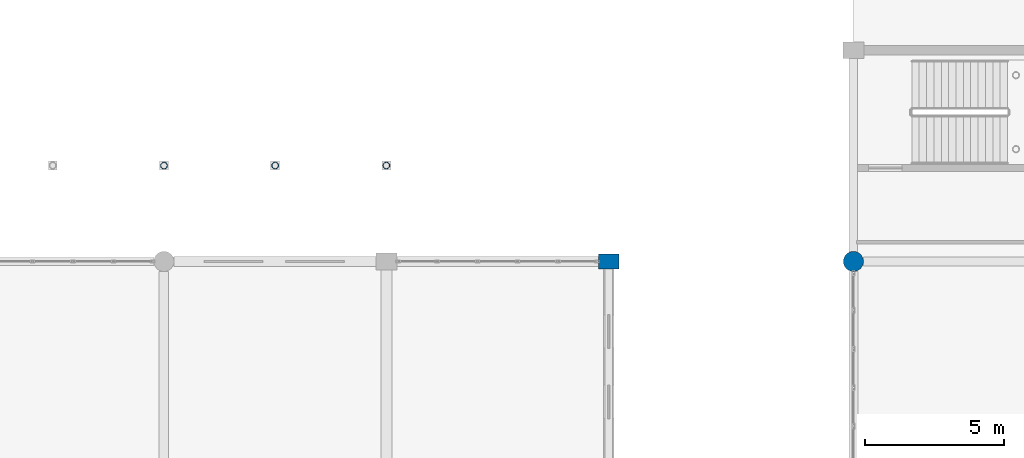
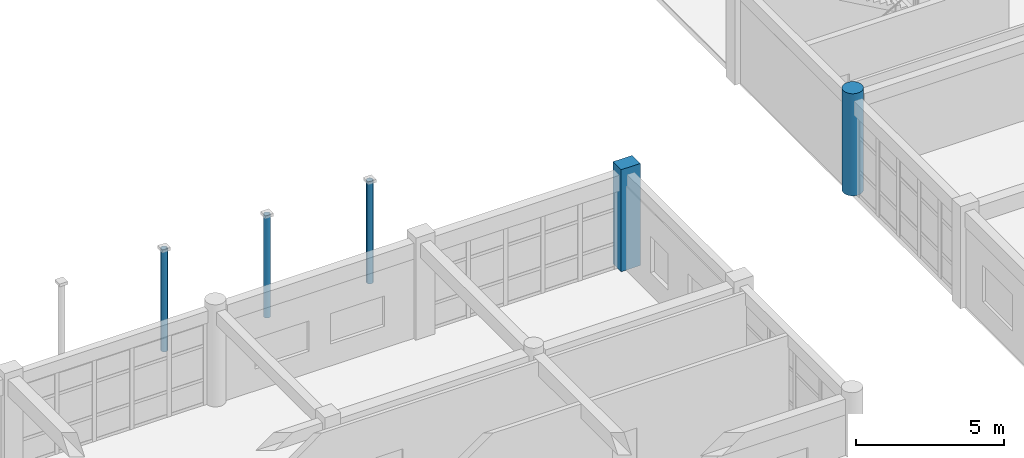
# One storey, part 10 of 195: 5 columns.
"""IFC4 building model written with IfcOpenShell, lengths in metres."""

from ifc_helpers import new_model, si_unit, direction, frame, origin, origin_2d, place, context, subcontext, project, spatial, rectangle, circle, hollow_circle, extrude, material, material_profile, profile_set, type_object, element, save


model = new_model("IFC4")

# Units and contexts
model_context = context("Model", 3, precision=1e-05, world=origin(), true_north=direction((0.0, 1.0)))
body_context = subcontext(model_context, "Body", "Model", "MODEL_VIEW")
ifc_project = project(units=[si_unit("LENGTHUNIT", "METRE"), si_unit("AREAUNIT", "SQUARE_METRE"), si_unit("VOLUMEUNIT", "CUBIC_METRE"), si_unit("PLANEANGLEUNIT", "RADIAN"), si_unit("MASSUNIT", "GRAM", prefix="KILO")], contexts=[model_context])

# Site, building, storey
site_placement = place(None, origin())
site = spatial("IfcSite", under=ifc_project, at=site_placement, CompositionType="ELEMENT")
building_placement = place(site_placement, origin())
building = spatial("IfcBuilding", under=site, at=building_placement, Name="Kharva Crest Polytechnic", CompositionType="ELEMENT")
storey_placement = place(building_placement, frame((0.0, 0.0, 9.0)))
storey = spatial("IfcBuildingStorey", under=building, at=storey_placement, Name="L02", CompositionType="ELEMENT", Elevation=9.0)

# Columns
ifc_material_1 = material(Name="Concrete C40/50", Category="concrete")
ifc_material_profile_1 = material_profile(ifc_material_1, rectangle(XDim=0.75, YDim=0.550048828125, at=origin_2d()), Name="RECT 750 X 550")
ifc_profile_set_1 = profile_set([ifc_material_profile_1], Name="Concrete C40/50")
column_type_1 = type_object("IfcColumnType", Name="COL-EXT-750X550", PredefinedType="COLUMN", material=ifc_profile_set_1)
column_1_placement = place(storey_placement, frame((112.0, 22.800048828125, 0.0), z_axis=(0.0, 0.0, 1.0), x_axis=(1.0, 0.0, 0.0)))
element("IfcColumn", 1, at=column_1_placement, inside=storey, type_object=column_type_1, Name="L02 Column 15/D", PredefinedType="COLUMN", context=body_context, shape_type="SweptSolid", body=[
    extrude(rectangle(XDim=0.75, YDim=0.550048828125, at=origin_2d()), origin(), (0.0, 0.0, 1.0), 4.199951171875),
])
ifc_material_profile_2 = material_profile(ifc_material_1, circle(Radius=0.360107421875, at=origin_2d()), Name="DIA 720")
ifc_profile_set_2 = profile_set([ifc_material_profile_2], Name="Concrete C40/50")
column_type_2 = type_object("IfcColumnType", Name="COL-EXT-DIA720", PredefinedType="COLUMN", material=ifc_profile_set_2)
column_2_placement = place(storey_placement, frame((120.800048828125, 22.800048828125, 0.0), z_axis=(0.0, 0.0, 1.0), x_axis=(1.0, 0.0, 0.0)))
element("IfcColumn", 2, at=column_2_placement, inside=storey, type_object=column_type_2, Name="L02 Column 16J/D", PredefinedType="COLUMN", context=body_context, shape_type="SweptSolid", body=[
    extrude(circle(Radius=0.360107421875, at=origin_2d()), origin(), (0.0, 0.0, 1.0), 4.199951171875),
])
ifc_material_2 = material(Name="Steel S355", Category="steel")
ifc_material_profile_3 = material_profile(ifc_material_2, hollow_circle(Radius=0.122314453125, WallThickness=0.010009765625, at=origin_2d()), Name="CHS 244.5X10.0")
ifc_profile_set_3 = profile_set([ifc_material_profile_3], Name="Steel S355")
column_type_3 = type_object("IfcColumnType", Name="COL-STL-CHS244", PredefinedType="COLUMN", material=ifc_profile_set_3)
for number, where, z_axis, x_axis, name in (
    (3, (96.0, 26.25, 0.0), (0.0, 0.0, 1.0), (1.0, 0.0, 0.0), "L02 Colonnade Column VS05"),
    (4, (104.0, 26.25, 0.0), (0.0, 0.0, 1.0), (1.0, 0.0, 0.0), "L02 Colonnade Column VS06"),
    (5, (100.0, 26.25, 0.0), (0.0, 0.0, 1.0), (1.0, 0.0, 0.0), "L02 Colonnade Mid Column VSM05"),
):
    element("IfcColumn", number, at=place(storey_placement, frame(where, z_axis=z_axis, x_axis=x_axis)), inside=storey, type_object=column_type_3, Name=name, PredefinedType="COLUMN", context=body_context, shape_type="SweptSolid", body=[
        extrude(hollow_circle(Radius=0.122314453125, WallThickness=0.010009765625, at=origin_2d()), origin(), (0.0, 0.0, 1.0), 4.199951171875),
    ])

save(model, "model.ifc")
